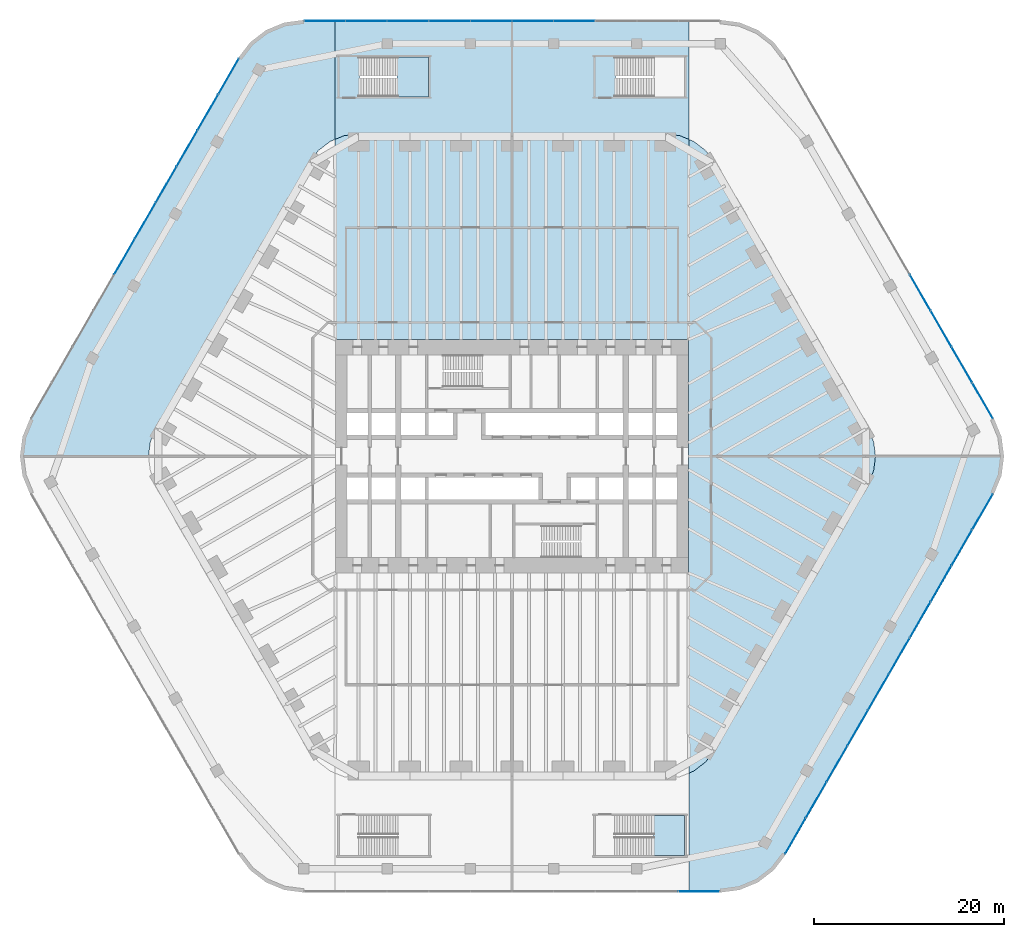
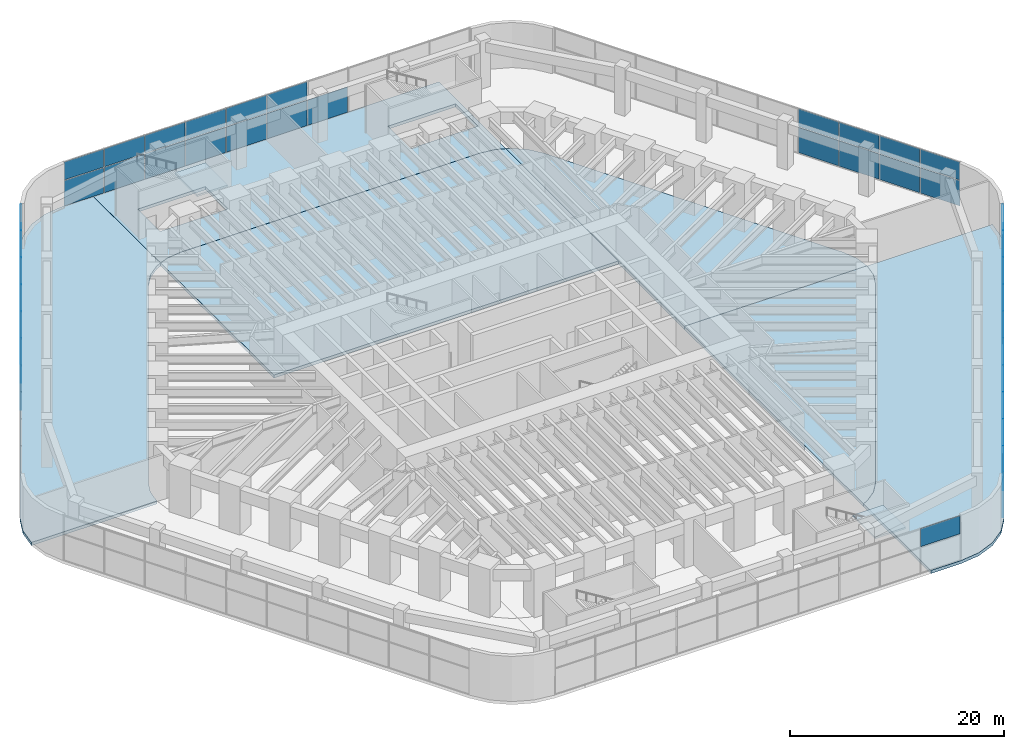
# One storey, part 24 of 31: 54 plates, 8 slabs, 7 elements without a shape of their own.
"""IFC4 building model written with IfcOpenShell, lengths in metres."""

from ifc_helpers import new_model, si_unit, direction, frame, origin, origin_2d, place, context, subcontext, project, spatial, polyline, rectangle, outline, extrude, material, layer, layer_set, type_object, element, aggregate, save


model = new_model("IFC4")

# Units and contexts
model_context = context("Model", 3, precision=1e-05, world=origin(), true_north=direction((0.0, 1.0)))
body_context = subcontext(model_context, "Body", "Model", "MODEL_VIEW")
ifc_project = project(units=[si_unit("LENGTHUNIT", "METRE"), si_unit("AREAUNIT", "SQUARE_METRE"), si_unit("VOLUMEUNIT", "CUBIC_METRE"), si_unit("PLANEANGLEUNIT", "RADIAN"), si_unit("MASSUNIT", "GRAM", prefix="KILO")], contexts=[model_context])

# Site, building, storey
site_placement = place(None, origin())
site = spatial("IfcSite", under=ifc_project, at=site_placement, CompositionType="ELEMENT")
building_placement = place(site_placement, origin())
building = spatial("IfcBuilding", under=site, at=building_placement, Name="Tarfa Lantern Tower", CompositionType="ELEMENT")
storey_placement = place(building_placement, frame((0.0, 0.0, 13.0)))
storey = spatial("IfcBuildingStorey", under=building, at=storey_placement, Name="L02", CompositionType="ELEMENT", Elevation=13.0)

# Curtain wall, plates
ifc_material_1 = material(Name="Aluminium framed curtain wall", Category="aluminium")
curtain_wall_type = type_object("IfcCurtainWallType", Name="CW7 PODIUM GLAZING 5150", PredefinedType="USERDEFINED", material=ifc_material_1)
curtain_wall_1_placement = place(storey_placement, origin())
curtain_wall_1 = element("IfcCurtainWall", 1, at=curtain_wall_1_placement, inside=storey, type_object=curtain_wall_type, Name="CW7 NE L02", ObjectType="CURTAIN WALL", PredefinedType="USERDEFINED")
ifc_material_2 = material(Name="Laminated double glazing", Category="glass")
ifc_layer_1 = layer(ifc_material_2, 0.028076171875)
ifc_layer_set_1 = layer_set([ifc_layer_1], Name="CWP1 DOUBLE GLAZED PANEL")
plate_type = type_object("IfcPlateType", Name="CWP1 DOUBLE GLAZED PANEL", PredefinedType="CURTAIN_PANEL", material=ifc_layer_set_1)
plate_1_placement = place(storey_placement, frame((49.615234375, 5.864013671875, 0.06494140625), z_axis=(0.0, 0.0, 1.0), x_axis=(-0.5, 0.866025403784, 0.0)))
plate_1 = element("IfcPlate", 2, at=plate_1_placement, type_object=plate_type, Name="CW7 panel 1.1", PredefinedType="CURTAIN_PANEL", context=body_context, shape_type="SweptSolid", body=[
    extrude(rectangle(XDim=4.290283203125, YDim=0.028076171875, at=origin_2d()), origin(), (0.0, 0.0, 1.0), 2.902587890625),
])
plate_2_placement = place(storey_placement, frame((49.615234375, 5.864013671875, 3.03271484375), z_axis=(0.0, 0.0, 1.0), x_axis=(-0.5, 0.866025403784, 0.0)))
plate_2 = element("IfcPlate", 3, at=plate_2_placement, type_object=plate_type, Name="CW7 panel 1.2", PredefinedType="CURTAIN_PANEL", context=body_context, shape_type="SweptSolid", body=[
    extrude(rectangle(XDim=4.290283203125, YDim=0.028076171875, at=origin_2d()), origin(), (0.0, 0.0, 1.0), 2.052490234375),
])
plate_3_placement = place(storey_placement, frame((47.429443359375, 9.64990234375, 0.06494140625), z_axis=(0.0, 0.0, 1.0), x_axis=(-0.5, 0.866025403784, 0.0)))
plate_3 = element("IfcPlate", 4, at=plate_3_placement, type_object=plate_type, Name="CW7 panel 2.1", PredefinedType="CURTAIN_PANEL", context=body_context, shape_type="SweptSolid", body=[
    extrude(rectangle(XDim=4.32275390625, YDim=0.028076171875, at=origin_2d()), origin(), (0.0, 0.0, 1.0), 2.902587890625),
])
plate_4_placement = place(storey_placement, frame((47.429443359375, 9.64990234375, 3.03271484375), z_axis=(0.0, 0.0, 1.0), x_axis=(-0.5, 0.866025403784, 0.0)))
plate_4 = element("IfcPlate", 5, at=plate_4_placement, type_object=plate_type, Name="CW7 panel 2.2", PredefinedType="CURTAIN_PANEL", context=body_context, shape_type="SweptSolid", body=[
    extrude(rectangle(XDim=4.32275390625, YDim=0.028076171875, at=origin_2d()), origin(), (0.0, 0.0, 1.0), 2.052490234375),
])
plate_5_placement = place(storey_placement, frame((45.2353515625, 13.449951171875, 0.06494140625), z_axis=(0.0, 0.0, 1.0), x_axis=(-0.5, 0.866025403784, 0.0)))
plate_5 = element("IfcPlate", 6, at=plate_5_placement, type_object=plate_type, Name="CW7 panel 3.1", PredefinedType="CURTAIN_PANEL", context=body_context, shape_type="SweptSolid", body=[
    extrude(rectangle(XDim=4.32275390625, YDim=0.028076171875, at=origin_2d()), origin(), (0.0, 0.0, 1.0), 2.902587890625),
])
plate_6_placement = place(storey_placement, frame((45.2353515625, 13.449951171875, 3.03271484375), z_axis=(0.0, 0.0, 1.0), x_axis=(-0.5, 0.866025403784, 0.0)))
plate_6 = element("IfcPlate", 7, at=plate_6_placement, type_object=plate_type, Name="CW7 panel 3.2", PredefinedType="CURTAIN_PANEL", context=body_context, shape_type="SweptSolid", body=[
    extrude(rectangle(XDim=4.32275390625, YDim=0.028076171875, at=origin_2d()), origin(), (0.0, 0.0, 1.0), 2.052490234375),
])
plate_7_placement = place(storey_placement, frame((43.04150390625, 17.25, 0.06494140625), z_axis=(0.0, 0.0, 1.0), x_axis=(-0.5, 0.866025403784, 0.0)))
plate_7 = element("IfcPlate", 8, at=plate_7_placement, type_object=plate_type, Name="CW7 panel 4.1", PredefinedType="CURTAIN_PANEL", context=body_context, shape_type="SweptSolid", body=[
    extrude(rectangle(XDim=4.32275390625, YDim=0.028076171875, at=origin_2d()), origin(), (0.0, 0.0, 1.0), 2.902587890625),
])
plate_8_placement = place(storey_placement, frame((43.04150390625, 17.25, 3.03271484375), z_axis=(0.0, 0.0, 1.0), x_axis=(-0.5, 0.866025403784, 0.0)))
plate_8 = element("IfcPlate", 9, at=plate_8_placement, type_object=plate_type, Name="CW7 panel 4.2", PredefinedType="CURTAIN_PANEL", context=body_context, shape_type="SweptSolid", body=[
    extrude(rectangle(XDim=4.32275390625, YDim=0.028076171875, at=origin_2d()), origin(), (0.0, 0.0, 1.0), 2.052490234375),
])
aggregate(curtain_wall_1, [plate_1, plate_2, plate_3, plate_4, plate_5, plate_6, plate_7, plate_8])

curtain_wall_2_placement = place(storey_placement, origin())
curtain_wall_2 = element("IfcCurtainWall", 10, at=curtain_wall_2_placement, inside=storey, type_object=curtain_wall_type, Name="CW7 N L02", ObjectType="CURTAIN WALL", PredefinedType="USERDEFINED")
plate_9_placement = place(storey_placement, frame((6.581787109375, 45.89990234375, 0.06494140625), z_axis=(0.0, 0.0, 1.0), x_axis=(-1.0, 0.0, 0.0)))
plate_9 = element("IfcPlate", 11, at=plate_9_placement, type_object=plate_type, Name="CW7 panel 4.1", PredefinedType="CURTAIN_PANEL", context=body_context, shape_type="SweptSolid", body=[
    extrude(rectangle(XDim=4.32275390625, YDim=0.028076171875, at=origin_2d()), origin(), (0.0, 0.0, 1.0), 2.902587890625),
])
plate_10_placement = place(storey_placement, frame((2.19384765625, 45.89990234375, 0.06494140625), z_axis=(0.0, 0.0, 1.0), x_axis=(-1.0, 0.0, 0.0)))
plate_10 = element("IfcPlate", 12, at=plate_10_placement, type_object=plate_type, Name="CW7 panel 5.1", PredefinedType="CURTAIN_PANEL", context=body_context, shape_type="SweptSolid", body=[
    extrude(rectangle(XDim=4.32275390625, YDim=0.028076171875, at=origin_2d()), origin(), (0.0, 0.0, 1.0), 2.902587890625),
])
plate_11_placement = place(storey_placement, frame((2.19384765625, 45.89990234375, 3.03271484375), z_axis=(0.0, 0.0, 1.0), x_axis=(-1.0, 0.0, 0.0)))
plate_11 = element("IfcPlate", 13, at=plate_11_placement, type_object=plate_type, Name="CW7 panel 5.2", PredefinedType="CURTAIN_PANEL", context=body_context, shape_type="SweptSolid", body=[
    extrude(rectangle(XDim=4.32275390625, YDim=0.028076171875, at=origin_2d()), origin(), (0.0, 0.0, 1.0), 2.052490234375),
])
plate_12_placement = place(storey_placement, frame((-2.19384765625, 45.89990234375, 0.06494140625), z_axis=(0.0, 0.0, 1.0), x_axis=(-1.0, 0.0, 0.0)))
plate_12 = element("IfcPlate", 14, at=plate_12_placement, type_object=plate_type, Name="CW7 panel 6.1", PredefinedType="CURTAIN_PANEL", context=body_context, shape_type="SweptSolid", body=[
    extrude(rectangle(XDim=4.32275390625, YDim=0.028076171875, at=origin_2d()), origin(), (0.0, 0.0, 1.0), 2.902587890625),
])
plate_13_placement = place(storey_placement, frame((-2.19384765625, 45.89990234375, 3.03271484375), z_axis=(0.0, 0.0, 1.0), x_axis=(-1.0, 0.0, 0.0)))
plate_13 = element("IfcPlate", 15, at=plate_13_placement, type_object=plate_type, Name="CW7 panel 6.2", PredefinedType="CURTAIN_PANEL", context=body_context, shape_type="SweptSolid", body=[
    extrude(rectangle(XDim=4.32275390625, YDim=0.028076171875, at=origin_2d()), origin(), (0.0, 0.0, 1.0), 2.052490234375),
])
plate_14_placement = place(storey_placement, frame((-6.581787109375, 45.89990234375, 0.06494140625), z_axis=(0.0, 0.0, 1.0), x_axis=(-1.0, 0.0, 0.0)))
plate_14 = element("IfcPlate", 16, at=plate_14_placement, type_object=plate_type, Name="CW7 panel 7.1", PredefinedType="CURTAIN_PANEL", context=body_context, shape_type="SweptSolid", body=[
    extrude(rectangle(XDim=4.32275390625, YDim=0.028076171875, at=origin_2d()), origin(), (0.0, 0.0, 1.0), 2.902587890625),
])
plate_15_placement = place(storey_placement, frame((-6.581787109375, 45.89990234375, 3.03271484375), z_axis=(0.0, 0.0, 1.0), x_axis=(-1.0, 0.0, 0.0)))
plate_15 = element("IfcPlate", 17, at=plate_15_placement, type_object=plate_type, Name="CW7 panel 7.2", PredefinedType="CURTAIN_PANEL", context=body_context, shape_type="SweptSolid", body=[
    extrude(rectangle(XDim=4.32275390625, YDim=0.028076171875, at=origin_2d()), origin(), (0.0, 0.0, 1.0), 2.052490234375),
])
plate_16_placement = place(storey_placement, frame((-10.9697265625, 45.89990234375, 0.06494140625), z_axis=(0.0, 0.0, 1.0), x_axis=(-1.0, 0.0, 0.0)))
plate_16 = element("IfcPlate", 18, at=plate_16_placement, type_object=plate_type, Name="CW7 panel 8.1", PredefinedType="CURTAIN_PANEL", context=body_context, shape_type="SweptSolid", body=[
    extrude(rectangle(XDim=4.32275390625, YDim=0.028076171875, at=origin_2d()), origin(), (0.0, 0.0, 1.0), 2.902587890625),
])
plate_17_placement = place(storey_placement, frame((-10.9697265625, 45.89990234375, 3.03271484375), z_axis=(0.0, 0.0, 1.0), x_axis=(-1.0, 0.0, 0.0)))
plate_17 = element("IfcPlate", 19, at=plate_17_placement, type_object=plate_type, Name="CW7 panel 8.2", PredefinedType="CURTAIN_PANEL", context=body_context, shape_type="SweptSolid", body=[
    extrude(rectangle(XDim=4.32275390625, YDim=0.028076171875, at=origin_2d()), origin(), (0.0, 0.0, 1.0), 2.052490234375),
])
plate_18_placement = place(storey_placement, frame((-15.357421875, 45.89990234375, 0.06494140625), z_axis=(0.0, 0.0, 1.0), x_axis=(-1.0, 0.0, 0.0)))
plate_18 = element("IfcPlate", 20, at=plate_18_placement, type_object=plate_type, Name="CW7 panel 9.1", PredefinedType="CURTAIN_PANEL", context=body_context, shape_type="SweptSolid", body=[
    extrude(rectangle(XDim=4.32275390625, YDim=0.028076171875, at=origin_2d()), origin(), (0.0, 0.0, 1.0), 2.902587890625),
])
plate_19_placement = place(storey_placement, frame((-15.357421875, 45.89990234375, 3.03271484375), z_axis=(0.0, 0.0, 1.0), x_axis=(-1.0, 0.0, 0.0)))
plate_19 = element("IfcPlate", 21, at=plate_19_placement, type_object=plate_type, Name="CW7 panel 9.2", PredefinedType="CURTAIN_PANEL", context=body_context, shape_type="SweptSolid", body=[
    extrude(rectangle(XDim=4.32275390625, YDim=0.028076171875, at=origin_2d()), origin(), (0.0, 0.0, 1.0), 2.052490234375),
])
plate_20_placement = place(storey_placement, frame((-19.729248046875, 45.89990234375, 0.06494140625), z_axis=(0.0, 0.0, 1.0), x_axis=(-1.0, 0.0, 0.0)))
plate_20 = element("IfcPlate", 22, at=plate_20_placement, type_object=plate_type, Name="CW7 panel 10.1", PredefinedType="CURTAIN_PANEL", context=body_context, shape_type="SweptSolid", body=[
    extrude(rectangle(XDim=4.290283203125, YDim=0.028076171875, at=origin_2d()), origin(), (0.0, 0.0, 1.0), 2.902587890625),
])
plate_21_placement = place(storey_placement, frame((-19.729248046875, 45.89990234375, 3.03271484375), z_axis=(0.0, 0.0, 1.0), x_axis=(-1.0, 0.0, 0.0)))
plate_21 = element("IfcPlate", 23, at=plate_21_placement, type_object=plate_type, Name="CW7 panel 10.2", PredefinedType="CURTAIN_PANEL", context=body_context, shape_type="SweptSolid", body=[
    extrude(rectangle(XDim=4.290283203125, YDim=0.028076171875, at=origin_2d()), origin(), (0.0, 0.0, 1.0), 2.052490234375),
])
aggregate(curtain_wall_2, [plate_9, plate_10, plate_11, plate_12, plate_13, plate_14, plate_15, plate_16, plate_17, plate_18, plate_19, plate_20, plate_21])

curtain_wall_3_placement = place(storey_placement, origin())
curtain_wall_3 = element("IfcCurtainWall", 24, at=curtain_wall_3_placement, inside=storey, type_object=curtain_wall_type, Name="CW7 NW L02", ObjectType="CURTAIN WALL", PredefinedType="USERDEFINED")
plate_22_placement = place(storey_placement, frame((-29.885986328125, 40.035888671875, 0.06494140625), z_axis=(0.0, 0.0, 1.0), x_axis=(-0.5, -0.866025403784, 0.0)))
plate_22 = element("IfcPlate", 25, at=plate_22_placement, type_object=plate_type, Name="CW7 panel 1.1", PredefinedType="CURTAIN_PANEL", context=body_context, shape_type="SweptSolid", body=[
    extrude(rectangle(XDim=4.290283203125, YDim=0.028076171875, at=origin_2d()), origin(), (0.0, 0.0, 1.0), 2.902587890625),
])
plate_23_placement = place(storey_placement, frame((-29.885986328125, 40.035888671875, 3.03271484375), z_axis=(0.0, 0.0, 1.0), x_axis=(-0.5, -0.866025403784, 0.0)))
plate_23 = element("IfcPlate", 26, at=plate_23_placement, type_object=plate_type, Name="CW7 panel 1.2", PredefinedType="CURTAIN_PANEL", context=body_context, shape_type="SweptSolid", body=[
    extrude(rectangle(XDim=4.290283203125, YDim=0.028076171875, at=origin_2d()), origin(), (0.0, 0.0, 1.0), 2.052490234375),
])
plate_24_placement = place(storey_placement, frame((-32.07177734375, 36.25, 0.06494140625), z_axis=(0.0, 0.0, 1.0), x_axis=(-0.5, -0.866025403784, 0.0)))
plate_24 = element("IfcPlate", 27, at=plate_24_placement, type_object=plate_type, Name="CW7 panel 2.1", PredefinedType="CURTAIN_PANEL", context=body_context, shape_type="SweptSolid", body=[
    extrude(rectangle(XDim=4.32275390625, YDim=0.028076171875, at=origin_2d()), origin(), (0.0, 0.0, 1.0), 2.902587890625),
])
plate_25_placement = place(storey_placement, frame((-32.07177734375, 36.25, 3.03271484375), z_axis=(0.0, 0.0, 1.0), x_axis=(-0.5, -0.866025403784, 0.0)))
plate_25 = element("IfcPlate", 28, at=plate_25_placement, type_object=plate_type, Name="CW7 panel 2.2", PredefinedType="CURTAIN_PANEL", context=body_context, shape_type="SweptSolid", body=[
    extrude(rectangle(XDim=4.32275390625, YDim=0.028076171875, at=origin_2d()), origin(), (0.0, 0.0, 1.0), 2.052490234375),
])
plate_26_placement = place(storey_placement, frame((-34.265625, 32.449951171875, 0.06494140625), z_axis=(0.0, 0.0, 1.0), x_axis=(-0.5, -0.866025403784, 0.0)))
plate_26 = element("IfcPlate", 29, at=plate_26_placement, type_object=plate_type, Name="CW7 panel 3.1", PredefinedType="CURTAIN_PANEL", context=body_context, shape_type="SweptSolid", body=[
    extrude(rectangle(XDim=4.32275390625, YDim=0.028076171875, at=origin_2d()), origin(), (0.0, 0.0, 1.0), 2.902587890625),
])
plate_27_placement = place(storey_placement, frame((-34.265625, 32.449951171875, 3.03271484375), z_axis=(0.0, 0.0, 1.0), x_axis=(-0.5, -0.866025403784, 0.0)))
plate_27 = element("IfcPlate", 30, at=plate_27_placement, type_object=plate_type, Name="CW7 panel 3.2", PredefinedType="CURTAIN_PANEL", context=body_context, shape_type="SweptSolid", body=[
    extrude(rectangle(XDim=4.32275390625, YDim=0.028076171875, at=origin_2d()), origin(), (0.0, 0.0, 1.0), 2.052490234375),
])
plate_28_placement = place(storey_placement, frame((-36.459716796875, 28.64990234375, 0.06494140625), z_axis=(0.0, 0.0, 1.0), x_axis=(-0.5, -0.866025403784, 0.0)))
plate_28 = element("IfcPlate", 31, at=plate_28_placement, type_object=plate_type, Name="CW7 panel 4.1", PredefinedType="CURTAIN_PANEL", context=body_context, shape_type="SweptSolid", body=[
    extrude(rectangle(XDim=4.32275390625, YDim=0.028076171875, at=origin_2d()), origin(), (0.0, 0.0, 1.0), 2.902587890625),
])
plate_29_placement = place(storey_placement, frame((-36.459716796875, 28.64990234375, 3.03271484375), z_axis=(0.0, 0.0, 1.0), x_axis=(-0.5, -0.866025403784, 0.0)))
plate_29 = element("IfcPlate", 32, at=plate_29_placement, type_object=plate_type, Name="CW7 panel 4.2", PredefinedType="CURTAIN_PANEL", context=body_context, shape_type="SweptSolid", body=[
    extrude(rectangle(XDim=4.32275390625, YDim=0.028076171875, at=origin_2d()), origin(), (0.0, 0.0, 1.0), 2.052490234375),
])
plate_30_placement = place(storey_placement, frame((-38.653564453125, 24.85009765625, 0.06494140625), z_axis=(0.0, 0.0, 1.0), x_axis=(-0.5, -0.866025403784, 0.0)))
plate_30 = element("IfcPlate", 33, at=plate_30_placement, type_object=plate_type, Name="CW7 panel 5.1", PredefinedType="CURTAIN_PANEL", context=body_context, shape_type="SweptSolid", body=[
    extrude(rectangle(XDim=4.32275390625, YDim=0.028076171875, at=origin_2d()), origin(), (0.0, 0.0, 1.0), 2.902587890625),
])
plate_31_placement = place(storey_placement, frame((-38.653564453125, 24.85009765625, 3.03271484375), z_axis=(0.0, 0.0, 1.0), x_axis=(-0.5, -0.866025403784, 0.0)))
plate_31 = element("IfcPlate", 34, at=plate_31_placement, type_object=plate_type, Name="CW7 panel 5.2", PredefinedType="CURTAIN_PANEL", context=body_context, shape_type="SweptSolid", body=[
    extrude(rectangle(XDim=4.32275390625, YDim=0.028076171875, at=origin_2d()), origin(), (0.0, 0.0, 1.0), 2.052490234375),
])
plate_32_placement = place(storey_placement, frame((-40.847412109375, 21.050048828125, 0.06494140625), z_axis=(0.0, 0.0, 1.0), x_axis=(-0.5, -0.866025403784, 0.0)))
plate_32 = element("IfcPlate", 35, at=plate_32_placement, type_object=plate_type, Name="CW7 panel 6.1", PredefinedType="CURTAIN_PANEL", context=body_context, shape_type="SweptSolid", body=[
    extrude(rectangle(XDim=4.32275390625, YDim=0.028076171875, at=origin_2d()), origin(), (0.0, 0.0, 1.0), 2.902587890625),
])
plate_33_placement = place(storey_placement, frame((-40.847412109375, 21.050048828125, 3.03271484375), z_axis=(0.0, 0.0, 1.0), x_axis=(-0.5, -0.866025403784, 0.0)))
plate_33 = element("IfcPlate", 36, at=plate_33_placement, type_object=plate_type, Name="CW7 panel 6.2", PredefinedType="CURTAIN_PANEL", context=body_context, shape_type="SweptSolid", body=[
    extrude(rectangle(XDim=4.32275390625, YDim=0.028076171875, at=origin_2d()), origin(), (0.0, 0.0, 1.0), 2.052490234375),
])
aggregate(curtain_wall_3, [plate_22, plate_23, plate_24, plate_25, plate_26, plate_27, plate_28, plate_29, plate_30, plate_31, plate_32, plate_33])

# Curtain wall, plate
curtain_wall_4_placement = place(storey_placement, origin())
curtain_wall_4 = element("IfcCurtainWall", 37, at=curtain_wall_4_placement, inside=storey, type_object=curtain_wall_type, Name="CW7 S L02", ObjectType="CURTAIN WALL", PredefinedType="USERDEFINED")
plate_34_placement = place(storey_placement, frame((19.729248046875, -45.89990234375, 3.03271484375), z_axis=(0.0, 0.0, 1.0), x_axis=(1.0, 0.0, 0.0)))
plate_34 = element("IfcPlate", 38, at=plate_34_placement, type_object=plate_type, Name="CW7 panel 10.2", PredefinedType="CURTAIN_PANEL", context=body_context, shape_type="SweptSolid", body=[
    extrude(rectangle(XDim=4.290283203125, YDim=0.028076171875, at=origin_2d()), origin(), (0.0, 0.0, 1.0), 2.052490234375),
])
aggregate(curtain_wall_4, [plate_34])

# Curtain wall, plates
curtain_wall_5_placement = place(storey_placement, origin())
curtain_wall_5 = element("IfcCurtainWall", 39, at=curtain_wall_5_placement, inside=storey, type_object=curtain_wall_type, Name="CW7 SE L02", ObjectType="CURTAIN WALL", PredefinedType="USERDEFINED")
plate_35_placement = place(storey_placement, frame((29.885986328125, -40.035888671875, 0.06494140625), z_axis=(0.0, 0.0, 1.0), x_axis=(0.5, 0.866025403784, 0.0)))
plate_35 = element("IfcPlate", 40, at=plate_35_placement, type_object=plate_type, Name="CW7 panel 1.1", PredefinedType="CURTAIN_PANEL", context=body_context, shape_type="SweptSolid", body=[
    extrude(rectangle(XDim=4.290283203125, YDim=0.028076171875, at=origin_2d()), origin(), (0.0, 0.0, 1.0), 2.902587890625),
])
plate_36_placement = place(storey_placement, frame((29.885986328125, -40.035888671875, 3.03271484375), z_axis=(0.0, 0.0, 1.0), x_axis=(0.5, 0.866025403784, 0.0)))
plate_36 = element("IfcPlate", 41, at=plate_36_placement, type_object=plate_type, Name="CW7 panel 1.2", PredefinedType="CURTAIN_PANEL", context=body_context, shape_type="SweptSolid", body=[
    extrude(rectangle(XDim=4.290283203125, YDim=0.028076171875, at=origin_2d()), origin(), (0.0, 0.0, 1.0), 2.052490234375),
])
plate_37_placement = place(storey_placement, frame((32.07177734375, -36.25, 0.06494140625), z_axis=(0.0, 0.0, 1.0), x_axis=(0.5, 0.866025403784, 0.0)))
plate_37 = element("IfcPlate", 42, at=plate_37_placement, type_object=plate_type, Name="CW7 panel 2.1", PredefinedType="CURTAIN_PANEL", context=body_context, shape_type="SweptSolid", body=[
    extrude(rectangle(XDim=4.32275390625, YDim=0.028076171875, at=origin_2d()), origin(), (0.0, 0.0, 1.0), 2.902587890625),
])
plate_38_placement = place(storey_placement, frame((32.07177734375, -36.25, 3.03271484375), z_axis=(0.0, 0.0, 1.0), x_axis=(0.5, 0.866025403784, 0.0)))
plate_38 = element("IfcPlate", 43, at=plate_38_placement, type_object=plate_type, Name="CW7 panel 2.2", PredefinedType="CURTAIN_PANEL", context=body_context, shape_type="SweptSolid", body=[
    extrude(rectangle(XDim=4.32275390625, YDim=0.028076171875, at=origin_2d()), origin(), (0.0, 0.0, 1.0), 2.052490234375),
])
plate_39_placement = place(storey_placement, frame((34.265625, -32.449951171875, 0.06494140625), z_axis=(0.0, 0.0, 1.0), x_axis=(0.5, 0.866025403784, 0.0)))
plate_39 = element("IfcPlate", 44, at=plate_39_placement, type_object=plate_type, Name="CW7 panel 3.1", PredefinedType="CURTAIN_PANEL", context=body_context, shape_type="SweptSolid", body=[
    extrude(rectangle(XDim=4.32275390625, YDim=0.028076171875, at=origin_2d()), origin(), (0.0, 0.0, 1.0), 2.902587890625),
])
plate_40_placement = place(storey_placement, frame((34.265625, -32.449951171875, 3.03271484375), z_axis=(0.0, 0.0, 1.0), x_axis=(0.5, 0.866025403784, 0.0)))
plate_40 = element("IfcPlate", 45, at=plate_40_placement, type_object=plate_type, Name="CW7 panel 3.2", PredefinedType="CURTAIN_PANEL", context=body_context, shape_type="SweptSolid", body=[
    extrude(rectangle(XDim=4.32275390625, YDim=0.028076171875, at=origin_2d()), origin(), (0.0, 0.0, 1.0), 2.052490234375),
])
plate_41_placement = place(storey_placement, frame((36.459716796875, -28.64990234375, 0.06494140625), z_axis=(0.0, 0.0, 1.0), x_axis=(0.5, 0.866025403784, 0.0)))
plate_41 = element("IfcPlate", 46, at=plate_41_placement, type_object=plate_type, Name="CW7 panel 4.1", PredefinedType="CURTAIN_PANEL", context=body_context, shape_type="SweptSolid", body=[
    extrude(rectangle(XDim=4.32275390625, YDim=0.028076171875, at=origin_2d()), origin(), (0.0, 0.0, 1.0), 2.902587890625),
])
plate_42_placement = place(storey_placement, frame((36.459716796875, -28.64990234375, 3.03271484375), z_axis=(0.0, 0.0, 1.0), x_axis=(0.5, 0.866025403784, 0.0)))
plate_42 = element("IfcPlate", 47, at=plate_42_placement, type_object=plate_type, Name="CW7 panel 4.2", PredefinedType="CURTAIN_PANEL", context=body_context, shape_type="SweptSolid", body=[
    extrude(rectangle(XDim=4.32275390625, YDim=0.028076171875, at=origin_2d()), origin(), (0.0, 0.0, 1.0), 2.052490234375),
])
plate_43_placement = place(storey_placement, frame((38.653564453125, -24.85009765625, 0.06494140625), z_axis=(0.0, 0.0, 1.0), x_axis=(0.5, 0.866025403784, 0.0)))
plate_43 = element("IfcPlate", 48, at=plate_43_placement, type_object=plate_type, Name="CW7 panel 5.1", PredefinedType="CURTAIN_PANEL", context=body_context, shape_type="SweptSolid", body=[
    extrude(rectangle(XDim=4.32275390625, YDim=0.028076171875, at=origin_2d()), origin(), (0.0, 0.0, 1.0), 2.902587890625),
])
plate_44_placement = place(storey_placement, frame((38.653564453125, -24.85009765625, 3.03271484375), z_axis=(0.0, 0.0, 1.0), x_axis=(0.5, 0.866025403784, 0.0)))
plate_44 = element("IfcPlate", 49, at=plate_44_placement, type_object=plate_type, Name="CW7 panel 5.2", PredefinedType="CURTAIN_PANEL", context=body_context, shape_type="SweptSolid", body=[
    extrude(rectangle(XDim=4.32275390625, YDim=0.028076171875, at=origin_2d()), origin(), (0.0, 0.0, 1.0), 2.052490234375),
])
plate_45_placement = place(storey_placement, frame((40.847412109375, -21.050048828125, 0.06494140625), z_axis=(0.0, 0.0, 1.0), x_axis=(0.5, 0.866025403784, 0.0)))
plate_45 = element("IfcPlate", 50, at=plate_45_placement, type_object=plate_type, Name="CW7 panel 6.1", PredefinedType="CURTAIN_PANEL", context=body_context, shape_type="SweptSolid", body=[
    extrude(rectangle(XDim=4.32275390625, YDim=0.028076171875, at=origin_2d()), origin(), (0.0, 0.0, 1.0), 2.902587890625),
])
plate_46_placement = place(storey_placement, frame((40.847412109375, -21.050048828125, 3.03271484375), z_axis=(0.0, 0.0, 1.0), x_axis=(0.5, 0.866025403784, 0.0)))
plate_46 = element("IfcPlate", 51, at=plate_46_placement, type_object=plate_type, Name="CW7 panel 6.2", PredefinedType="CURTAIN_PANEL", context=body_context, shape_type="SweptSolid", body=[
    extrude(rectangle(XDim=4.32275390625, YDim=0.028076171875, at=origin_2d()), origin(), (0.0, 0.0, 1.0), 2.052490234375),
])
plate_47_placement = place(storey_placement, frame((43.04150390625, -17.25, 0.06494140625), z_axis=(0.0, 0.0, 1.0), x_axis=(0.5, 0.866025403784, 0.0)))
plate_47 = element("IfcPlate", 52, at=plate_47_placement, type_object=plate_type, Name="CW7 panel 7.1", PredefinedType="CURTAIN_PANEL", context=body_context, shape_type="SweptSolid", body=[
    extrude(rectangle(XDim=4.32275390625, YDim=0.028076171875, at=origin_2d()), origin(), (0.0, 0.0, 1.0), 2.902587890625),
])
plate_48_placement = place(storey_placement, frame((43.04150390625, -17.25, 3.03271484375), z_axis=(0.0, 0.0, 1.0), x_axis=(0.5, 0.866025403784, 0.0)))
plate_48 = element("IfcPlate", 53, at=plate_48_placement, type_object=plate_type, Name="CW7 panel 7.2", PredefinedType="CURTAIN_PANEL", context=body_context, shape_type="SweptSolid", body=[
    extrude(rectangle(XDim=4.32275390625, YDim=0.028076171875, at=origin_2d()), origin(), (0.0, 0.0, 1.0), 2.052490234375),
])
plate_49_placement = place(storey_placement, frame((45.2353515625, -13.449951171875, 0.06494140625), z_axis=(0.0, 0.0, 1.0), x_axis=(0.5, 0.866025403784, 0.0)))
plate_49 = element("IfcPlate", 54, at=plate_49_placement, type_object=plate_type, Name="CW7 panel 8.1", PredefinedType="CURTAIN_PANEL", context=body_context, shape_type="SweptSolid", body=[
    extrude(rectangle(XDim=4.32275390625, YDim=0.028076171875, at=origin_2d()), origin(), (0.0, 0.0, 1.0), 2.902587890625),
])
plate_50_placement = place(storey_placement, frame((45.2353515625, -13.449951171875, 3.03271484375), z_axis=(0.0, 0.0, 1.0), x_axis=(0.5, 0.866025403784, 0.0)))
plate_50 = element("IfcPlate", 55, at=plate_50_placement, type_object=plate_type, Name="CW7 panel 8.2", PredefinedType="CURTAIN_PANEL", context=body_context, shape_type="SweptSolid", body=[
    extrude(rectangle(XDim=4.32275390625, YDim=0.028076171875, at=origin_2d()), origin(), (0.0, 0.0, 1.0), 2.052490234375),
])
plate_51_placement = place(storey_placement, frame((47.429443359375, -9.64990234375, 0.06494140625), z_axis=(0.0, 0.0, 1.0), x_axis=(0.5, 0.866025403784, 0.0)))
plate_51 = element("IfcPlate", 56, at=plate_51_placement, type_object=plate_type, Name="CW7 panel 9.1", PredefinedType="CURTAIN_PANEL", context=body_context, shape_type="SweptSolid", body=[
    extrude(rectangle(XDim=4.32275390625, YDim=0.028076171875, at=origin_2d()), origin(), (0.0, 0.0, 1.0), 2.902587890625),
])
plate_52_placement = place(storey_placement, frame((47.429443359375, -9.64990234375, 3.03271484375), z_axis=(0.0, 0.0, 1.0), x_axis=(0.5, 0.866025403784, 0.0)))
plate_52 = element("IfcPlate", 57, at=plate_52_placement, type_object=plate_type, Name="CW7 panel 9.2", PredefinedType="CURTAIN_PANEL", context=body_context, shape_type="SweptSolid", body=[
    extrude(rectangle(XDim=4.32275390625, YDim=0.028076171875, at=origin_2d()), origin(), (0.0, 0.0, 1.0), 2.052490234375),
])
plate_53_placement = place(storey_placement, frame((49.615234375, -5.864013671875, 0.06494140625), z_axis=(0.0, 0.0, 1.0), x_axis=(0.5, 0.866025403784, 0.0)))
plate_53 = element("IfcPlate", 58, at=plate_53_placement, type_object=plate_type, Name="CW7 panel 10.1", PredefinedType="CURTAIN_PANEL", context=body_context, shape_type="SweptSolid", body=[
    extrude(rectangle(XDim=4.290283203125, YDim=0.028076171875, at=origin_2d()), origin(), (0.0, 0.0, 1.0), 2.902587890625),
])
plate_54_placement = place(storey_placement, frame((49.615234375, -5.864013671875, 3.03271484375), z_axis=(0.0, 0.0, 1.0), x_axis=(0.5, 0.866025403784, 0.0)))
plate_54 = element("IfcPlate", 59, at=plate_54_placement, type_object=plate_type, Name="CW7 panel 10.2", PredefinedType="CURTAIN_PANEL", context=body_context, shape_type="SweptSolid", body=[
    extrude(rectangle(XDim=4.290283203125, YDim=0.028076171875, at=origin_2d()), origin(), (0.0, 0.0, 1.0), 2.052490234375),
])
aggregate(curtain_wall_5, [plate_35, plate_36, plate_37, plate_38, plate_39, plate_40, plate_41, plate_42, plate_43, plate_44, plate_45, plate_46, plate_47, plate_48, plate_49, plate_50, plate_51, plate_52, plate_53, plate_54])

# Slabs
ifc_material_3 = material(Name="Concrete C40/50", Category="concrete")
ifc_layer_2 = layer(ifc_material_3, 0.35009765625)
ifc_layer_set_2 = layer_set([ifc_layer_2], Name="FS3 FLOOR SLAB 350")
slab_type_1 = type_object("IfcSlabType", Name="FS3 FLOOR SLAB 350", PredefinedType="FLOOR", material=ifc_layer_set_2)
slab_1_placement = place(storey_placement, frame((0.0, 0.0, -0.35009765625)))
element("IfcSlab", 60, at=slab_1_placement, inside=storey, type_object=slab_type_1, Name="Floor slab L02 NE bay", PredefinedType="FLOOR", context=body_context, shape_type="SweptSolid", body=[
    extrude(outline(polyline([(37.52587890625, 2.9990234375), (21.3603515625, 30.998779296875), (20.406982421875, 32.2412109375), (19.164794921875, 33.1943359375), (18.64697265625, 33.408935546875), (18.60205078125, 12.300048828125), (18.60205078125, 0.001953125), (38.329345703125, 0.001953125), (38.125244140625, 1.552490234375), (37.52587890625, 2.9990234375)])), origin(), (0.0, 0.0, 1.0), 0.35009765625),
])
slab_2_placement = place(storey_placement, frame((0.0, 0.0, -0.35009765625)))
element("IfcSlab", 61, at=slab_2_placement, inside=storey, type_object=slab_type_1, Name="Floor slab L02 N bay", PredefinedType="FLOOR", context=body_context, shape_type="SweptSolid", body=[
    extrude(outline(polyline([(-18.597900390625, 12.302001953125), (18.597900390625, 12.302001953125), (18.64306640625, 33.41064453125), (17.71826171875, 33.793701171875), (16.165771484375, 33.998046875), (-16.165771484375, 33.998046875), (-17.71826171875, 33.793701171875), (-18.64306640625, 33.41064453125), (-18.597900390625, 12.302001953125)])), origin(), (0.0, 0.0, 1.0), 0.35009765625),
])
slab_3_placement = place(storey_placement, frame((0.0, 0.0, -0.35009765625)))
element("IfcSlab", 62, at=slab_3_placement, inside=storey, type_object=slab_type_1, Name="Floor slab L02 SE bay", PredefinedType="FLOOR", context=body_context, shape_type="SweptSolid", body=[
    extrude(outline(polyline([(18.60205078125, -0.001953125), (18.60205078125, -12.300048828125), (18.64697265625, -33.408935546875), (19.164794921875, -33.1943359375), (20.406982421875, -32.2412109375), (21.3603515625, -30.998779296875), (37.52587890625, -2.9990234375), (38.125244140625, -1.552490234375), (38.329345703125, -0.001953125), (18.60205078125, -0.001953125)])), origin(), (0.0, 0.0, 1.0), 0.35009765625),
])
slab_4_placement = place(storey_placement, frame((0.0, 0.0, -0.35009765625)))
element("IfcSlab", 63, at=slab_4_placement, inside=storey, type_object=slab_type_1, Name="Floor slab L02 podium-N bay", PredefinedType="FLOOR", context=body_context, shape_type="SweptSolid", body=[
    extrude(outline(polyline([(-18.64306640625, 33.414794921875), (-17.71923828125, 33.797607421875), (-16.166015625, 34.001953125), (16.166015625, 34.001953125), (17.71923828125, 33.797607421875), (18.64306640625, 33.414794921875), (18.669921875, 45.998046875), (-18.669921875, 45.998046875), (-18.64306640625, 33.414794921875)]), holes=[polyline([(10.89990234375, 37.89990234375), (18.199951171875, 37.89990234375), (18.199951171875, 42.10009765625), (10.89990234375, 42.10009765625), (10.89990234375, 37.89990234375)]), polyline([(-16.10009765625, 37.89990234375), (-8.800048828125, 37.89990234375), (-8.800048828125, 42.10009765625), (-16.10009765625, 42.10009765625), (-16.10009765625, 37.89990234375)])]), origin(), (0.0, 0.0, 1.0), 0.35009765625),
])
slab_5_placement = place(storey_placement, frame((0.0, 0.0, -0.35009765625)))
element("IfcSlab", 64, at=slab_5_placement, inside=storey, type_object=slab_type_1, Name="Floor slab L02 podium-NW bay", PredefinedType="FLOOR", context=body_context, shape_type="SweptSolid", body=[
    extrude(outline(polyline([(-38.333251953125, 0.001953125), (-38.129150390625, 1.553466796875), (-37.529541015625, 3.0009765625), (-21.363525390625, 31.001220703125), (-20.409912109375, 32.244140625), (-19.166748046875, 33.197998046875), (-18.64697265625, 33.4130859375), (-18.673828125, 45.998046875), (-21.939208984375, 45.998046875), (-24.00927734375, 45.725341796875), (-25.938232421875, 44.926513671875), (-27.5947265625, 43.655517578125), (-28.865966796875, 41.998779296875), (-50.804931640625, 3.9990234375), (-51.60400390625, 2.070068359375), (-51.876220703125, 0.001953125), (-38.333251953125, 0.001953125)])), origin(), (0.0, 0.0, 1.0), 0.35009765625),
])
slab_6_placement = place(storey_placement, frame((0.0, 0.0, -0.35009765625)))
element("IfcSlab", 65, at=slab_6_placement, inside=storey, type_object=slab_type_1, Name="Floor slab L02 podium-SE bay", PredefinedType="FLOOR", context=body_context, shape_type="SweptSolid", body=[
    extrude(outline(polyline([(38.333251953125, -0.001953125), (38.129150390625, -1.553466796875), (37.529541015625, -3.0009765625), (21.363525390625, -31.001220703125), (20.409912109375, -32.244140625), (19.166748046875, -33.197998046875), (18.64697265625, -33.4130859375), (18.673828125, -45.998046875), (21.939208984375, -45.998046875), (24.00927734375, -45.725341796875), (25.938232421875, -44.926513671875), (27.5947265625, -43.655517578125), (28.865966796875, -41.998779296875), (50.804931640625, -3.9990234375), (51.60400390625, -2.070068359375), (51.876220703125, -0.001953125), (38.333251953125, -0.001953125)])), origin(), (0.0, 0.0, 1.0), 0.35009765625),
])

# Stair, slab
stair_type = type_object("IfcStairType", Name="ST-T8 HALF-TURN STAIR 5500 RISE", PredefinedType="HALF_TURN_STAIR", material=ifc_material_3)
stair_1_placement = place(storey_placement, origin())
stair_1 = element("IfcStair", 66, at=stair_1_placement, inside=storey, type_object=stair_type, Name="Stair ST4", PredefinedType="HALF_TURN_STAIR")
ifc_layer_3 = layer(ifc_material_3, 0.199951171875)
ifc_layer_set_3 = layer_set([ifc_layer_3], Name="SL1 STAIR LANDING 200")
slab_type_2 = type_object("IfcSlabType", Name="SL1 STAIR LANDING 200", PredefinedType="LANDING", material=ifc_layer_set_3)
slab_7_placement = place(storey_placement, frame((0.0, 0.0, 2.550048828125)))
slab_7 = element("IfcSlab", 67, at=slab_7_placement, type_object=slab_type_2, Name="ST4 landing 1", PredefinedType="LANDING", context=body_context, shape_type="SweptSolid", body=[
    extrude(outline(polyline([(-12.10009765625, 37.89990234375), (-8.800048828125, 37.89990234375), (-8.800048828125, 42.10009765625), (-12.10009765625, 42.10009765625), (-12.10009765625, 37.89990234375)])), origin(), (0.0, 0.0, 1.0), 0.199951171875),
])
aggregate(stair_1, [slab_7])

stair_2_placement = place(storey_placement, origin())
stair_2 = element("IfcStair", 68, at=stair_2_placement, inside=storey, type_object=stair_type, Name="Stair ST6", PredefinedType="HALF_TURN_STAIR")
slab_8_placement = place(storey_placement, frame((0.0, 0.0, 2.550048828125)))
slab_8 = element("IfcSlab", 69, at=slab_8_placement, type_object=slab_type_2, Name="ST6 landing 1", PredefinedType="LANDING", context=body_context, shape_type="SweptSolid", body=[
    extrude(outline(polyline([(14.89990234375, -42.10009765625), (18.199951171875, -42.10009765625), (18.199951171875, -37.89990234375), (14.89990234375, -37.89990234375), (14.89990234375, -42.10009765625)])), origin(), (0.0, 0.0, 1.0), 0.199951171875),
])
aggregate(stair_2, [slab_8])

save(model, "model.ifc")
